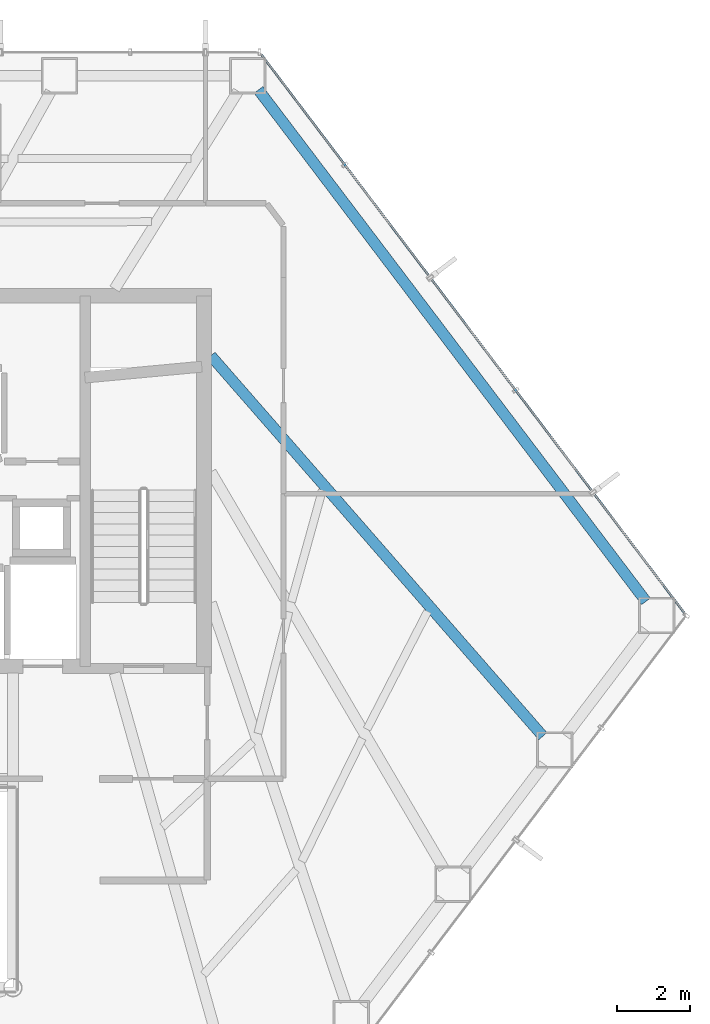
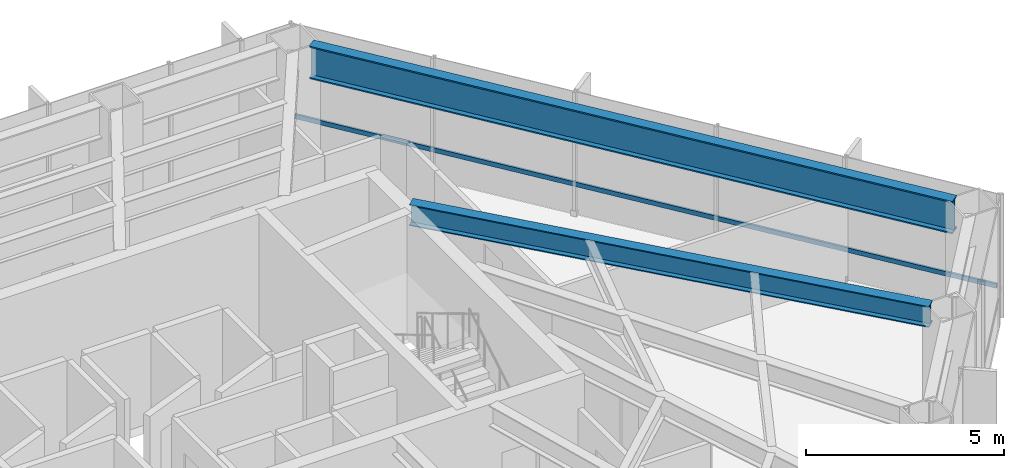
# One storey, part 20 of 26: 2 beams, 1 member, 1 element without a shape of its own.
"""IFC4 building model written with IfcOpenShell, lengths in metres."""

from ifc_helpers import new_model, si_unit, direction, frame, origin, origin_2d, place, context, subcontext, project, spatial, hollow_rectangle, i_section, extrude, material, layer, layer_set, material_profile, profile_set, type_object, element, aggregate, save


model = new_model("IFC4")

# Units and contexts
model_context = context("Model", 3, precision=1e-05, world=origin(), true_north=direction((0.0, 1.0)))
body_context = subcontext(model_context, "Body", "Model", "MODEL_VIEW")
ifc_project = project(units=[si_unit("LENGTHUNIT", "METRE"), si_unit("AREAUNIT", "SQUARE_METRE"), si_unit("VOLUMEUNIT", "CUBIC_METRE"), si_unit("PLANEANGLEUNIT", "RADIAN"), si_unit("MASSUNIT", "GRAM", prefix="KILO")], contexts=[model_context])

# Site, building, storey
site_placement = place(None, origin())
site = spatial("IfcSite", under=ifc_project, at=site_placement, CompositionType="ELEMENT")
building_placement = place(site_placement, origin())
building = spatial("IfcBuilding", under=site, at=building_placement, Name="Zarrinselat Tower", CompositionType="ELEMENT")
storey_placement = place(building_placement, frame((0.0, 0.0, 31.6201171875)))
storey = spatial("IfcBuildingStorey", under=building, at=storey_placement, Name="L07", CompositionType="ELEMENT", Elevation=31.6201171875)

# Beams
ifc_material_1 = material(Name="Steel S355J2", Category="steel")
ifc_material_profile_1 = material_profile(ifc_material_1, i_section(OverallWidth=0.300048828125, OverallDepth=0.64990234375, WebThickness=0.01611328125, FlangeThickness=0.031005859375, at=origin_2d()), Name="HEB 650")
ifc_profile_set_1 = profile_set([ifc_material_profile_1], Name="Steel S355J2")
beam_type_1 = type_object("IfcBeamType", Name="BM-HEB650", PredefinedType="BEAM", material=ifc_profile_set_1)
beam_1_placement = place(storey_placement, frame((48.449951171875, 41.800048828125, 3.494873046875), z_axis=(0.657504524112, -0.753450596106, 0.0), x_axis=(0.753450596106, 0.657504524112, 0.0)))
element("IfcBeam", 1, at=beam_1_placement, inside=storey, type_object=beam_type_1, Name="L07 Radial Primary Girder RG14", PredefinedType="BEAM", context=body_context, shape_type="SweptSolid", body=[
    extrude(i_section(OverallWidth=0.300048828125, OverallDepth=0.64990234375, WebThickness=0.01611328125, FlangeThickness=0.031005859375, at=origin_2d()), origin(), (0.0, 0.0, 1.0), 13.903564453125),
])
ifc_material_2 = material(Name="Steel S460M", Category="steel")
ifc_material_profile_2 = material_profile(ifc_material_2, i_section(OverallWidth=0.302001953125, OverallDepth=1.008056640625, WebThickness=0.02099609375, FlangeThickness=0.0400390625, at=origin_2d()), Name="HEM 1000")
ifc_profile_set_2 = profile_set([ifc_material_profile_2], Name="Steel S460M")
beam_type_2 = type_object("IfcBeamType", Name="BM-HEM1000", PredefinedType="BEAM", material=ifc_profile_set_2)
beam_2_placement = place(storey_placement, frame((49.760986328125, 49.1220703125, 3.31591796875), z_axis=(0.603857155977, -0.797092551198, 0.0), x_axis=(0.797092551198, 0.603857155977, 0.0)))
element("IfcBeam", 2, at=beam_2_placement, inside=storey, type_object=beam_type_2, Name="L07 Perimeter Spandrel Girder SP15", PredefinedType="BEAM", context=body_context, shape_type="SweptSolid", body=[
    extrude(i_section(OverallWidth=0.302001953125, OverallDepth=1.008056640625, WebThickness=0.02099609375, FlangeThickness=0.0400390625, at=origin_2d()), origin(), (0.0, 0.0, 1.0), 17.67041015625),
])

# Curtain wall, member
ifc_material_3 = material(Name="Extruded Aluminium Alloy EN AW-6063 T6", Category="aluminium")
ifc_layer = layer(ifc_material_3, 0.18505859375)
ifc_layer_set = layer_set([ifc_layer], Name="Extruded Aluminium Alloy EN AW-6063 T6")
curtain_wall_type = type_object("IfcCurtainWallType", Name="CWS-OFF", PredefinedType="NOTDEFINED", material=ifc_layer_set)
curtain_wall_placement = place(storey_placement, origin())
curtain_wall = element("IfcCurtainWall", 3, at=curtain_wall_placement, inside=storey, type_object=curtain_wall_type, Name="L07 Unitised Curtain Wall CW-L07-E06", PredefinedType="NOTDEFINED")
ifc_material_4 = material(Name="Extruded Aluminium Alloy EN AW-6063 T6", Category="aluminium")
ifc_material_profile_3 = material_profile(ifc_material_4, hollow_rectangle(XDim=0.06005859375, YDim=0.139892578125, WallThickness=0.00390625, at=origin_2d()), Name="RHS 140x60x4")
ifc_profile_set_3 = profile_set([ifc_material_profile_3], Name="Extruded Aluminium Alloy EN AW-6063 T6")
member_type = type_object("IfcMemberType", Name="MEM-CW-TRN", PredefinedType="USERDEFINED", material=ifc_profile_set_3)
member_placement = place(storey_placement, frame((61.4873046875, 34.7197265625, 0.949951171875), z_axis=(-0.603854275135, 0.797094733643, 0.0), x_axis=(-0.797094733643, -0.603854275135, 0.0)))
member = element("IfcMember", 4, at=member_placement, type_object=member_type, Name="CW-L07-E06 Transom 1", ObjectType="TRANSOM", PredefinedType="USERDEFINED", context=body_context, shape_type="SweptSolid", body=[
    extrude(hollow_rectangle(XDim=0.06005859375, YDim=0.139892578125, WallThickness=0.00390625, at=origin_2d()), origin(), (0.0, 0.0, 1.0), 19.281982421875),
])
aggregate(curtain_wall, [member])

save(model, "model.ifc")
